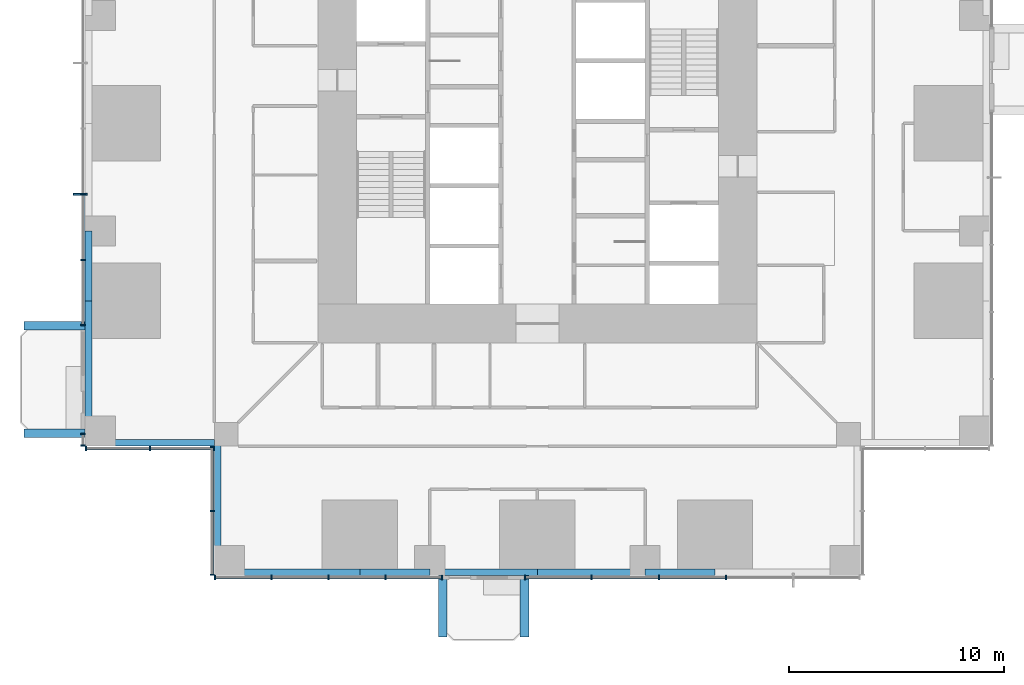
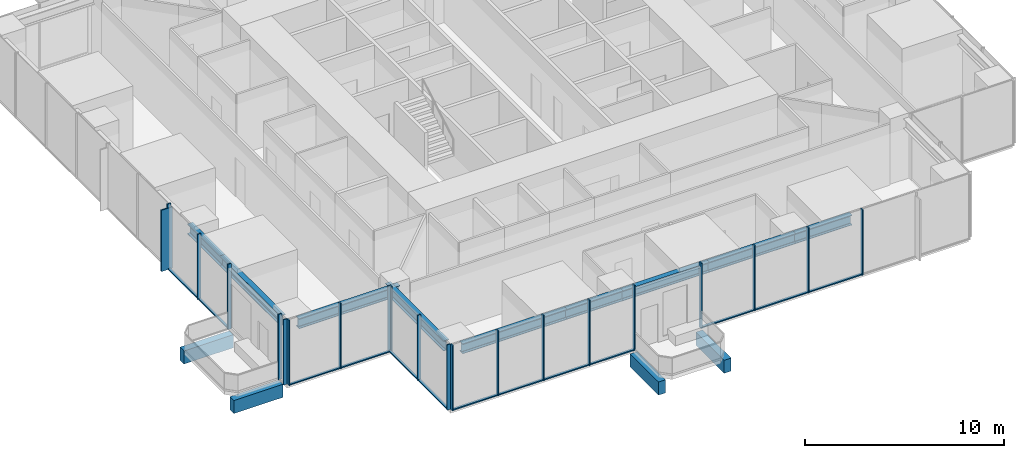
# One storey, part 2 of 17: 34 members, 13 beams, 6 elements without a shape of their own.
"""IFC4 building model written with IfcOpenShell, lengths in metres."""

from ifc_helpers import new_model, si_unit, direction, frame, origin, origin_2d, place, context, subcontext, project, spatial, rectangle, i_section, extrude, material, material_profile, profile_set, type_object, element, aggregate, save


model = new_model("IFC4")

# Units and contexts
model_context = context("Model", 3, precision=1e-05, world=origin(), true_north=direction((0.0, 1.0)))
body_context = subcontext(model_context, "Body", "Model", "MODEL_VIEW")
ifc_project = project(units=[si_unit("LENGTHUNIT", "METRE"), si_unit("AREAUNIT", "SQUARE_METRE"), si_unit("VOLUMEUNIT", "CUBIC_METRE"), si_unit("PLANEANGLEUNIT", "RADIAN"), si_unit("MASSUNIT", "GRAM", prefix="KILO")], contexts=[model_context])

# Site, building, storey
site_placement = place(None, origin())
site = spatial("IfcSite", under=ifc_project, at=site_placement, CompositionType="ELEMENT")
building_placement = place(site_placement, origin())
building = spatial("IfcBuilding", under=site, at=building_placement, Name="Svetlomir Tower", CompositionType="ELEMENT")
storey_placement = place(building_placement, frame((0.0, 0.0, 62.5)))
storey = spatial("IfcBuildingStorey", under=building, at=storey_placement, Name="L14", CompositionType="ELEMENT", Elevation=62.5)

# Beams
ifc_material_1 = material(Name="Concrete C60/75", Category="concrete")
ifc_material_profile_1 = material_profile(ifc_material_1, rectangle(XDim=0.39990234375, YDim=0.800048828125, at=origin_2d()), Name="RC 400x800")
ifc_profile_set_1 = profile_set([ifc_material_profile_1], Name="Concrete C60/75")
beam_type_1 = type_object("IfcBeamType", Name="BALCONY RIB RC 400x800", PredefinedType="BEAM", material=ifc_profile_set_1)
for number, where, z_axis, x_axis, name in (
    (1, (16.60009765625, 0.0, -0.64990234375), (0.0, -1.0, 0.0), (1.0, 0.0, 0.0), "Balcony rib S 1 L14"),
    (2, (20.39990234375, 0.0, -0.64990234375), (0.0, -1.0, 0.0), (1.0, 0.0, 0.0), "Balcony rib S 2 L14"),
    (3, (0.0, 6.60009765625, -0.64990234375), (-1.0, 0.0, 0.0), (0.0, -1.0, 0.0), "Balcony rib W 1 L14"),
    (4, (0.0, 11.60009765625, -0.64990234375), (-1.0, 0.0, 0.0), (0.0, -1.0, 0.0), "Balcony rib W 2 L14"),
):
    element("IfcBeam", number, at=place(storey_placement, frame(where, z_axis=z_axis, x_axis=x_axis)), inside=storey, type_object=beam_type_1, Name=name, PredefinedType="BEAM", context=body_context, shape_type="SweptSolid", body=[
        extrude(rectangle(XDim=0.39990234375, YDim=0.800048828125, at=origin_2d()), origin(), (0.0, 0.0, 1.0), 2.85009765625),
    ])

# Curtain wall, member
ifc_material_2 = material(Name="Bronze anodised aluminium curtain wall", Category="aluminium")
curtain_wall_type = type_object("IfcCurtainWallType", Name="CURTAIN WALL CW1 TOWER OFFICE", PredefinedType="NOTDEFINED", material=ifc_material_2)
curtain_wall_1_placement = place(storey_placement, origin())
curtain_wall_1 = element("IfcCurtainWall", 5, at=curtain_wall_1_placement, inside=storey, type_object=curtain_wall_type, Name="Curtain wall CW1 L14", PredefinedType="NOTDEFINED")
ifc_material_3 = material(Name="Bronze anodised aluminium", Category="aluminium")
ifc_material_profile_2 = material_profile(ifc_material_3, rectangle(XDim=0.080078125, YDim=0.64990234375, at=origin_2d()), Name="FIN 80x650")
ifc_profile_set_2 = profile_set([ifc_material_profile_2], Name="Bronze anodised aluminium 6063-T6")
member_type_1 = type_object("IfcMemberType", Name="BRONZE FIN 80x650", PredefinedType="USERDEFINED", material=ifc_profile_set_2)
member_1_placement = place(storey_placement, frame((-0.22509765625, 17.699951171875, 0.0), z_axis=(0.0, 0.0, 1.0), x_axis=(0.0, 1.0, 0.0)))
member_1 = element("IfcMember", 6, at=member_1_placement, type_object=member_type_1, Name="Bronze fin L14", ObjectType="FIN", PredefinedType="USERDEFINED", context=body_context, shape_type="SweptSolid", body=[
    extrude(rectangle(XDim=0.080078125, YDim=0.64990234375, at=origin_2d()), origin(), (0.0, 0.0, 1.0), 3.75),
])

# Curtain wall, members
curtain_wall_2_placement = place(storey_placement, origin())
curtain_wall_2 = element("IfcCurtainWall", 7, at=curtain_wall_2_placement, inside=storey, type_object=curtain_wall_type, Name="Curtain wall CW1 L14", PredefinedType="NOTDEFINED")
ifc_material_4 = material(Name="Bronze anodised aluminium", Category="aluminium")
ifc_material_profile_3 = material_profile(ifc_material_4, rectangle(XDim=0.06494140625, YDim=0.199951171875, at=origin_2d()), Name="AL 65x200")
ifc_profile_set_3 = profile_set([ifc_material_profile_3], Name="Bronze anodised aluminium 6063-T6")
member_type_2 = type_object("IfcMemberType", Name="CW1 MULLION 65x200", PredefinedType="MULLION", material=ifc_profile_set_3)
member_2_placement = place(storey_placement, frame((6.032470703125, -0.10009765625, 0.0), z_axis=(0.0, 0.0, 1.0), x_axis=(1.0, 0.0, 0.0)))
member_2 = element("IfcMember", 8, at=member_2_placement, type_object=member_type_2, Name="CW1 mullion 1", PredefinedType="MULLION", context=body_context, shape_type="SweptSolid", body=[
    extrude(rectangle(XDim=0.06494140625, YDim=0.199951171875, at=origin_2d()), origin(), (0.0, 0.0, 1.0), 4.0),
])
member_3_placement = place(storey_placement, frame((8.64990234375, -0.10009765625, 0.0), z_axis=(0.0, 0.0, 1.0), x_axis=(1.0, 0.0, 0.0)))
member_3 = element("IfcMember", 9, at=member_3_placement, type_object=member_type_2, Name="CW1 mullion 2", PredefinedType="MULLION", context=body_context, shape_type="SweptSolid", body=[
    extrude(rectangle(XDim=0.06494140625, YDim=0.199951171875, at=origin_2d()), origin(), (0.0, 0.0, 1.0), 4.0),
])
member_4_placement = place(storey_placement, frame((11.300048828125, -0.10009765625, 0.0), z_axis=(0.0, 0.0, 1.0), x_axis=(1.0, 0.0, 0.0)))
member_4 = element("IfcMember", 10, at=member_4_placement, type_object=member_type_2, Name="CW1 mullion 3", PredefinedType="MULLION", context=body_context, shape_type="SweptSolid", body=[
    extrude(rectangle(XDim=0.06494140625, YDim=0.199951171875, at=origin_2d()), origin(), (0.0, 0.0, 1.0), 4.0),
])
member_5_placement = place(storey_placement, frame((13.949951171875, -0.10009765625, 0.0), z_axis=(0.0, 0.0, 1.0), x_axis=(1.0, 0.0, 0.0)))
member_5 = element("IfcMember", 11, at=member_5_placement, type_object=member_type_2, Name="CW1 mullion 4", PredefinedType="MULLION", context=body_context, shape_type="SweptSolid", body=[
    extrude(rectangle(XDim=0.06494140625, YDim=0.199951171875, at=origin_2d()), origin(), (0.0, 0.0, 1.0), 4.0),
])
member_6_placement = place(storey_placement, frame((16.5673828125, -0.10009765625, 0.0), z_axis=(0.0, 0.0, 1.0), x_axis=(1.0, 0.0, 0.0)))
member_6 = element("IfcMember", 12, at=member_6_placement, type_object=member_type_2, Name="CW1 mullion 5", PredefinedType="MULLION", context=body_context, shape_type="SweptSolid", body=[
    extrude(rectangle(XDim=0.06494140625, YDim=0.199951171875, at=origin_2d()), origin(), (0.0, 0.0, 1.0), 4.0),
])

curtain_wall_3_placement = place(storey_placement, origin())
curtain_wall_3 = element("IfcCurtainWall", 13, at=curtain_wall_3_placement, inside=storey, type_object=curtain_wall_type, Name="Curtain wall CW1 L14", PredefinedType="NOTDEFINED")
member_7_placement = place(storey_placement, frame((20.4326171875, -0.10009765625, 0.0), z_axis=(0.0, 0.0, 1.0), x_axis=(1.0, 0.0, 0.0)))
member_7 = element("IfcMember", 14, at=member_7_placement, type_object=member_type_2, Name="CW1 mullion 1", PredefinedType="MULLION", context=body_context, shape_type="SweptSolid", body=[
    extrude(rectangle(XDim=0.06494140625, YDim=0.199951171875, at=origin_2d()), origin(), (0.0, 0.0, 1.0), 4.0),
])
member_8_placement = place(storey_placement, frame((23.52001953125, -0.10009765625, 0.0), z_axis=(0.0, 0.0, 1.0), x_axis=(1.0, 0.0, 0.0)))
member_8 = element("IfcMember", 15, at=member_8_placement, type_object=member_type_2, Name="CW1 mullion 2", PredefinedType="MULLION", context=body_context, shape_type="SweptSolid", body=[
    extrude(rectangle(XDim=0.06494140625, YDim=0.199951171875, at=origin_2d()), origin(), (0.0, 0.0, 1.0), 4.0),
])
member_9_placement = place(storey_placement, frame((26.639892578125, -0.10009765625, 0.0), z_axis=(0.0, 0.0, 1.0), x_axis=(1.0, 0.0, 0.0)))
member_9 = element("IfcMember", 16, at=member_9_placement, type_object=member_type_2, Name="CW1 mullion 3", PredefinedType="MULLION", context=body_context, shape_type="SweptSolid", body=[
    extrude(rectangle(XDim=0.06494140625, YDim=0.199951171875, at=origin_2d()), origin(), (0.0, 0.0, 1.0), 4.0),
])
member_10_placement = place(storey_placement, frame((29.760009765625, -0.10009765625, 0.0), z_axis=(0.0, 0.0, 1.0), x_axis=(1.0, 0.0, 0.0)))
member_10 = element("IfcMember", 17, at=member_10_placement, type_object=member_type_2, Name="CW1 mullion 4", PredefinedType="MULLION", context=body_context, shape_type="SweptSolid", body=[
    extrude(rectangle(XDim=0.06494140625, YDim=0.199951171875, at=origin_2d()), origin(), (0.0, 0.0, 1.0), 4.0),
])

# Member
member_11_placement = place(storey_placement, frame((-0.10009765625, 17.699951171875, 0.0), z_axis=(0.0, 0.0, 1.0), x_axis=(0.0, -1.0, 0.0)))
member_11 = element("IfcMember", 18, at=member_11_placement, type_object=member_type_2, Name="CW1 mullion 7", PredefinedType="MULLION", context=body_context, shape_type="SweptSolid", body=[
    extrude(rectangle(XDim=0.06494140625, YDim=0.199951171875, at=origin_2d()), origin(), (0.0, 0.0, 1.0), 4.0),
])

member_12_placement = place(storey_placement, frame((-0.10009765625, 14.64990234375, 0.0), z_axis=(0.0, 0.0, 1.0), x_axis=(0.0, -1.0, 0.0)))
member_12 = element("IfcMember", 19, at=member_12_placement, type_object=member_type_2, Name="CW1 mullion 8", PredefinedType="MULLION", context=body_context, shape_type="SweptSolid", body=[
    extrude(rectangle(XDim=0.06494140625, YDim=0.199951171875, at=origin_2d()), origin(), (0.0, 0.0, 1.0), 4.0),
])

member_13_placement = place(storey_placement, frame((-0.10009765625, 11.632568359375, 0.0), z_axis=(0.0, 0.0, 1.0), x_axis=(0.0, -1.0, 0.0)))
member_13 = element("IfcMember", 20, at=member_13_placement, type_object=member_type_2, Name="CW1 mullion 9", PredefinedType="MULLION", context=body_context, shape_type="SweptSolid", body=[
    extrude(rectangle(XDim=0.06494140625, YDim=0.199951171875, at=origin_2d()), origin(), (0.0, 0.0, 1.0), 4.0),
])

# Curtain wall, members
curtain_wall_4_placement = place(storey_placement, origin())
curtain_wall_4 = element("IfcCurtainWall", 21, at=curtain_wall_4_placement, inside=storey, type_object=curtain_wall_type, Name="Curtain wall CW1 L14", PredefinedType="NOTDEFINED")
member_14_placement = place(storey_placement, frame((-0.10009765625, 6.5673828125, 0.0), z_axis=(0.0, 0.0, 1.0), x_axis=(0.0, -1.0, 0.0)))
member_14 = element("IfcMember", 22, at=member_14_placement, type_object=member_type_2, Name="CW1 mullion 1", PredefinedType="MULLION", context=body_context, shape_type="SweptSolid", body=[
    extrude(rectangle(XDim=0.06494140625, YDim=0.199951171875, at=origin_2d()), origin(), (0.0, 0.0, 1.0), 4.0),
])
member_15_placement = place(storey_placement, frame((-0.10009765625, 6.032470703125, 0.0), z_axis=(0.0, 0.0, 1.0), x_axis=(0.0, -1.0, 0.0)))
member_15 = element("IfcMember", 23, at=member_15_placement, type_object=member_type_2, Name="CW1 mullion 2", PredefinedType="MULLION", context=body_context, shape_type="SweptSolid", body=[
    extrude(rectangle(XDim=0.06494140625, YDim=0.199951171875, at=origin_2d()), origin(), (0.0, 0.0, 1.0), 4.0),
])
aggregate(curtain_wall_4, [member_14, member_15])

curtain_wall_5_placement = place(storey_placement, origin())
curtain_wall_5 = element("IfcCurtainWall", 24, at=curtain_wall_5_placement, inside=storey, type_object=curtain_wall_type, Name="Curtain wall CW1 L14", PredefinedType="NOTDEFINED")
member_16_placement = place(storey_placement, frame((0.032470703125, 5.89990234375, 0.0), z_axis=(0.0, 0.0, 1.0), x_axis=(1.0, 0.0, 0.0)))
member_16 = element("IfcMember", 25, at=member_16_placement, type_object=member_type_2, Name="CW1 mullion 1", PredefinedType="MULLION", context=body_context, shape_type="SweptSolid", body=[
    extrude(rectangle(XDim=0.06494140625, YDim=0.199951171875, at=origin_2d()), origin(), (0.0, 0.0, 1.0), 4.0),
])
member_17_placement = place(storey_placement, frame((3.0, 5.89990234375, 0.0), z_axis=(0.0, 0.0, 1.0), x_axis=(1.0, 0.0, 0.0)))
member_17 = element("IfcMember", 26, at=member_17_placement, type_object=member_type_2, Name="CW1 mullion 2", PredefinedType="MULLION", context=body_context, shape_type="SweptSolid", body=[
    extrude(rectangle(XDim=0.06494140625, YDim=0.199951171875, at=origin_2d()), origin(), (0.0, 0.0, 1.0), 4.0),
])
member_18_placement = place(storey_placement, frame((5.967529296875, 5.89990234375, 0.0), z_axis=(0.0, 0.0, 1.0), x_axis=(1.0, 0.0, 0.0)))
member_18 = element("IfcMember", 27, at=member_18_placement, type_object=member_type_2, Name="CW1 mullion 3", PredefinedType="MULLION", context=body_context, shape_type="SweptSolid", body=[
    extrude(rectangle(XDim=0.06494140625, YDim=0.199951171875, at=origin_2d()), origin(), (0.0, 0.0, 1.0), 4.0),
])

curtain_wall_6_placement = place(storey_placement, origin())
curtain_wall_6 = element("IfcCurtainWall", 28, at=curtain_wall_6_placement, inside=storey, type_object=curtain_wall_type, Name="Curtain wall CW1 L14", PredefinedType="NOTDEFINED")
member_19_placement = place(storey_placement, frame((5.89990234375, 5.967529296875, 0.0), z_axis=(0.0, 0.0, 1.0), x_axis=(0.0, -1.0, 0.0)))
member_19 = element("IfcMember", 29, at=member_19_placement, type_object=member_type_2, Name="CW1 mullion 1", PredefinedType="MULLION", context=body_context, shape_type="SweptSolid", body=[
    extrude(rectangle(XDim=0.06494140625, YDim=0.199951171875, at=origin_2d()), origin(), (0.0, 0.0, 1.0), 4.0),
])
member_20_placement = place(storey_placement, frame((5.89990234375, 3.0, 0.0), z_axis=(0.0, 0.0, 1.0), x_axis=(0.0, -1.0, 0.0)))
member_20 = element("IfcMember", 30, at=member_20_placement, type_object=member_type_2, Name="CW1 mullion 2", PredefinedType="MULLION", context=body_context, shape_type="SweptSolid", body=[
    extrude(rectangle(XDim=0.06494140625, YDim=0.199951171875, at=origin_2d()), origin(), (0.0, 0.0, 1.0), 4.0),
])
member_21_placement = place(storey_placement, frame((5.89990234375, 0.032470703125, 0.0), z_axis=(0.0, 0.0, 1.0), x_axis=(0.0, -1.0, 0.0)))
member_21 = element("IfcMember", 31, at=member_21_placement, type_object=member_type_2, Name="CW1 mullion 3", PredefinedType="MULLION", context=body_context, shape_type="SweptSolid", body=[
    extrude(rectangle(XDim=0.06494140625, YDim=0.199951171875, at=origin_2d()), origin(), (0.0, 0.0, 1.0), 4.0),
])

# Member
ifc_material_5 = material(Name="Bronze anodised aluminium", Category="aluminium")
ifc_material_profile_4 = material_profile(ifc_material_5, rectangle(XDim=0.139892578125, YDim=0.06494140625, at=origin_2d()), Name="AL 140x65")
ifc_profile_set_4 = profile_set([ifc_material_profile_4], Name="Bronze anodised aluminium 6063-T6")
member_type_3 = type_object("IfcMemberType", Name="CW1 TRANSOM 65x140", PredefinedType="USERDEFINED", material=ifc_profile_set_4)
member_22_placement = place(storey_placement, frame((6.06494140625, -0.10009765625, 0.032470703125), z_axis=(1.0, 0.0, 0.0), x_axis=(0.0, 1.0, 0.0)))
member_22 = element("IfcMember", 32, at=member_22_placement, type_object=member_type_3, Name="CW1 transom 1.1", ObjectType="TRANSOM", PredefinedType="USERDEFINED", context=body_context, shape_type="SweptSolid", body=[
    extrude(rectangle(XDim=0.139892578125, YDim=0.06494140625, at=origin_2d()), origin(), (0.0, 0.0, 1.0), 2.552490234375),
])

member_23_placement = place(storey_placement, frame((8.6826171875, -0.10009765625, 0.032470703125), z_axis=(1.0, 0.0, 0.0), x_axis=(0.0, 1.0, 0.0)))
member_23 = element("IfcMember", 33, at=member_23_placement, type_object=member_type_3, Name="CW1 transom 2.1", ObjectType="TRANSOM", PredefinedType="USERDEFINED", context=body_context, shape_type="SweptSolid", body=[
    extrude(rectangle(XDim=0.139892578125, YDim=0.06494140625, at=origin_2d()), origin(), (0.0, 0.0, 1.0), 2.5849609375),
])

member_24_placement = place(storey_placement, frame((11.33251953125, -0.10009765625, 0.032470703125), z_axis=(1.0, 0.0, 0.0), x_axis=(0.0, 1.0, 0.0)))
member_24 = element("IfcMember", 34, at=member_24_placement, type_object=member_type_3, Name="CW1 transom 3.1", ObjectType="TRANSOM", PredefinedType="USERDEFINED", context=body_context, shape_type="SweptSolid", body=[
    extrude(rectangle(XDim=0.139892578125, YDim=0.06494140625, at=origin_2d()), origin(), (0.0, 0.0, 1.0), 2.5849609375),
])

member_25_placement = place(storey_placement, frame((13.982421875, -0.10009765625, 0.032470703125), z_axis=(1.0, 0.0, 0.0), x_axis=(0.0, 1.0, 0.0)))
member_25 = element("IfcMember", 35, at=member_25_placement, type_object=member_type_3, Name="CW1 transom 4.1", ObjectType="TRANSOM", PredefinedType="USERDEFINED", context=body_context, shape_type="SweptSolid", body=[
    extrude(rectangle(XDim=0.139892578125, YDim=0.06494140625, at=origin_2d()), origin(), (0.0, 0.0, 1.0), 2.552490234375),
])

aggregate(curtain_wall_2, [member_2, member_3, member_4, member_5, member_6, member_22, member_23, member_24, member_25])

member_26_placement = place(storey_placement, frame((20.465087890625, -0.10009765625, 0.032470703125), z_axis=(1.0, 0.0, 0.0), x_axis=(0.0, 1.0, 0.0)))
member_26 = element("IfcMember", 36, at=member_26_placement, type_object=member_type_3, Name="CW1 transom 1.1", ObjectType="TRANSOM", PredefinedType="USERDEFINED", context=body_context, shape_type="SweptSolid", body=[
    extrude(rectangle(XDim=0.139892578125, YDim=0.06494140625, at=origin_2d()), origin(), (0.0, 0.0, 1.0), 3.0224609375),
])

member_27_placement = place(storey_placement, frame((23.552490234375, -0.10009765625, 0.032470703125), z_axis=(1.0, 0.0, 0.0), x_axis=(0.0, 1.0, 0.0)))
member_27 = element("IfcMember", 37, at=member_27_placement, type_object=member_type_3, Name="CW1 transom 2.1", ObjectType="TRANSOM", PredefinedType="USERDEFINED", context=body_context, shape_type="SweptSolid", body=[
    extrude(rectangle(XDim=0.139892578125, YDim=0.06494140625, at=origin_2d()), origin(), (0.0, 0.0, 1.0), 3.054931640625),
])

member_28_placement = place(storey_placement, frame((26.672607421875, -0.10009765625, 0.032470703125), z_axis=(1.0, 0.0, 0.0), x_axis=(0.0, 1.0, 0.0)))
member_28 = element("IfcMember", 38, at=member_28_placement, type_object=member_type_3, Name="CW1 transom 3.1", ObjectType="TRANSOM", PredefinedType="USERDEFINED", context=body_context, shape_type="SweptSolid", body=[
    extrude(rectangle(XDim=0.139892578125, YDim=0.06494140625, at=origin_2d()), origin(), (0.0, 0.0, 1.0), 3.054931640625),
])

aggregate(curtain_wall_3, [member_7, member_8, member_9, member_10, member_26, member_27, member_28])

member_29_placement = place(storey_placement, frame((-0.10009765625, 17.66748046875, 0.032470703125), z_axis=(0.0, -1.0, 0.0), x_axis=(1.0, 0.0, 0.0)))
member_29 = element("IfcMember", 39, at=member_29_placement, type_object=member_type_3, Name="CW1 transom 7.1", ObjectType="TRANSOM", PredefinedType="USERDEFINED", context=body_context, shape_type="SweptSolid", body=[
    extrude(rectangle(XDim=0.139892578125, YDim=0.06494140625, at=origin_2d()), origin(), (0.0, 0.0, 1.0), 2.98486328125),
])

member_30_placement = place(storey_placement, frame((-0.10009765625, 14.617431640625, 0.032470703125), z_axis=(0.0, -1.0, 0.0), x_axis=(1.0, 0.0, 0.0)))
member_30 = element("IfcMember", 40, at=member_30_placement, type_object=member_type_3, Name="CW1 transom 8.1", ObjectType="TRANSOM", PredefinedType="USERDEFINED", context=body_context, shape_type="SweptSolid", body=[
    extrude(rectangle(XDim=0.139892578125, YDim=0.06494140625, at=origin_2d()), origin(), (0.0, 0.0, 1.0), 2.952392578125),
])

aggregate(curtain_wall_1, [member_11, member_12, member_13, member_29, member_30, member_1])

member_31_placement = place(storey_placement, frame((0.06494140625, 5.89990234375, 0.032470703125), z_axis=(1.0, 0.0, 0.0), x_axis=(0.0, 1.0, 0.0)))
member_31 = element("IfcMember", 41, at=member_31_placement, type_object=member_type_3, Name="CW1 transom 1.1", ObjectType="TRANSOM", PredefinedType="USERDEFINED", context=body_context, shape_type="SweptSolid", body=[
    extrude(rectangle(XDim=0.139892578125, YDim=0.06494140625, at=origin_2d()), origin(), (0.0, 0.0, 1.0), 2.902587890625),
])

member_32_placement = place(storey_placement, frame((3.032470703125, 5.89990234375, 0.032470703125), z_axis=(1.0, 0.0, 0.0), x_axis=(0.0, 1.0, 0.0)))
member_32 = element("IfcMember", 42, at=member_32_placement, type_object=member_type_3, Name="CW1 transom 2.1", ObjectType="TRANSOM", PredefinedType="USERDEFINED", context=body_context, shape_type="SweptSolid", body=[
    extrude(rectangle(XDim=0.139892578125, YDim=0.06494140625, at=origin_2d()), origin(), (0.0, 0.0, 1.0), 2.902587890625),
])

aggregate(curtain_wall_5, [member_16, member_17, member_18, member_31, member_32])

member_33_placement = place(storey_placement, frame((5.89990234375, 5.93505859375, 0.032470703125), z_axis=(0.0, -1.0, 0.0), x_axis=(1.0, 0.0, 0.0)))
member_33 = element("IfcMember", 43, at=member_33_placement, type_object=member_type_3, Name="CW1 transom 1.1", ObjectType="TRANSOM", PredefinedType="USERDEFINED", context=body_context, shape_type="SweptSolid", body=[
    extrude(rectangle(XDim=0.139892578125, YDim=0.06494140625, at=origin_2d()), origin(), (0.0, 0.0, 1.0), 2.902587890625),
])

member_34_placement = place(storey_placement, frame((5.89990234375, 2.967529296875, 0.032470703125), z_axis=(0.0, -1.0, 0.0), x_axis=(1.0, 0.0, 0.0)))
member_34 = element("IfcMember", 44, at=member_34_placement, type_object=member_type_3, Name="CW1 transom 2.1", ObjectType="TRANSOM", PredefinedType="USERDEFINED", context=body_context, shape_type="SweptSolid", body=[
    extrude(rectangle(XDim=0.139892578125, YDim=0.06494140625, at=origin_2d()), origin(), (0.0, 0.0, 1.0), 2.902587890625),
])

aggregate(curtain_wall_6, [member_19, member_20, member_21, member_33, member_34])

# Beams
ifc_material_6 = material(Name="Steel S355", Category="steel")
ifc_material_profile_5 = material_profile(ifc_material_6, i_section(OverallWidth=0.304931640625, OverallDepth=0.6201171875, WebThickness=0.02099609375, FlangeThickness=0.0400390625, FilletRadius=0.027099609375, at=origin_2d()), Name="HEM 600")
ifc_profile_set_5 = profile_set([ifc_material_profile_5], Name="Steel S355")
beam_type_2 = type_object("IfcBeamType", Name="EDGE BEAM HEM 600", PredefinedType="SPANDREL", material=ifc_profile_set_5)
for number, where, z_axis, x_axis, name in (
    (45, (6.699951171875, 0.152587890625, 3.43994140625), (1.0, 0.0, 0.0), (0.0, 1.0, 0.0), "Edge beam 6/0 to 11/0 under L15"),
    (46, (0.152587890625, 6.699951171875, 3.43994140625), (0.0, 1.0, 0.0), (-1.0, 0.0, 0.0), "Edge beam 0/6 to 0/11 under L15"),
):
    element("IfcBeam", number, at=place(storey_placement, frame(where, z_axis=z_axis, x_axis=x_axis)), inside=storey, type_object=beam_type_2, Name=name, PredefinedType="SPANDREL", context=body_context, shape_type="SweptSolid", body=[
        extrude(i_section(OverallWidth=0.304931640625, OverallDepth=0.6201171875, WebThickness=0.02099609375, FlangeThickness=0.0400390625, FilletRadius=0.027099609375, at=origin_2d()), origin(), (0.0, 0.0, 1.0), 6.050048828125),
    ])
for number, where, z_axis, x_axis, name in (
    (47, (12.75, 0.152587890625, 3.43994140625), (1.0, 0.0, 0.0), (0.0, 1.0, 0.0), "Edge beam 11/0 to 16/0 under L15"),
    (48, (0.152587890625, 12.75, 3.43994140625), (0.0, 1.0, 0.0), (-1.0, 0.0, 0.0), "Edge beam 0/11 to 0/16 under L15"),
):
    element("IfcBeam", number, at=place(storey_placement, frame(where, z_axis=z_axis, x_axis=x_axis)), inside=storey, type_object=beam_type_2, Name=name, PredefinedType="SPANDREL", context=body_context, shape_type="SweptSolid", body=[
        extrude(i_section(OverallWidth=0.304931640625, OverallDepth=0.6201171875, WebThickness=0.02099609375, FlangeThickness=0.0400390625, FilletRadius=0.027099609375, at=origin_2d()), origin(), (0.0, 0.0, 1.0), 3.25),
    ])
for number, where, z_axis, x_axis, name in (
    (49, (16.0, 0.152587890625, 3.43994140625), (1.0, 0.0, 0.0), (0.0, 1.0, 0.0), "Edge beam 16/0 to 21/0 under L15"),
    (50, (21.0, 0.152587890625, 3.43994140625), (1.0, 0.0, 0.0), (0.0, 1.0, 0.0), "Edge beam 21/0 to 26/0 under L15"),
):
    element("IfcBeam", number, at=place(storey_placement, frame(where, z_axis=z_axis, x_axis=x_axis)), inside=storey, type_object=beam_type_2, Name=name, PredefinedType="SPANDREL", context=body_context, shape_type="SweptSolid", body=[
        extrude(i_section(OverallWidth=0.304931640625, OverallDepth=0.6201171875, WebThickness=0.02099609375, FlangeThickness=0.0400390625, FilletRadius=0.027099609375, at=origin_2d()), origin(), (0.0, 0.0, 1.0), 5.0),
    ])
beam_placement = place(storey_placement, frame((26.0, 0.152587890625, 3.43994140625), z_axis=(1.0, 0.0, 0.0), x_axis=(0.0, 1.0, 0.0)))
element("IfcBeam", 51, at=beam_placement, inside=storey, type_object=beam_type_2, Name="Edge beam 26/0 to 31/0 under L15", PredefinedType="SPANDREL", context=body_context, shape_type="SweptSolid", body=[
    extrude(i_section(OverallWidth=0.304931640625, OverallDepth=0.6201171875, WebThickness=0.02099609375, FlangeThickness=0.0400390625, FilletRadius=0.027099609375, at=origin_2d()), origin(), (0.0, 0.0, 1.0), 3.25),
])
for number, where, z_axis, x_axis, name in (
    (52, (6.152587890625, 0.699951171875, 3.43994140625), (0.0, 1.0, 0.0), (-1.0, 0.0, 0.0), "Edge beam 6/0 to 6/6 under L15"),
    (53, (0.699951171875, 6.152587890625, 3.43994140625), (1.0, 0.0, 0.0), (0.0, 1.0, 0.0), "Edge beam 0/6 to 6/6 under L15"),
):
    element("IfcBeam", number, at=place(storey_placement, frame(where, z_axis=z_axis, x_axis=x_axis)), inside=storey, type_object=beam_type_2, Name=name, PredefinedType="SPANDREL", context=body_context, shape_type="SweptSolid", body=[
        extrude(i_section(OverallWidth=0.304931640625, OverallDepth=0.6201171875, WebThickness=0.02099609375, FlangeThickness=0.0400390625, FilletRadius=0.027099609375, at=origin_2d()), origin(), (0.0, 0.0, 1.0), 5.85009765625),
    ])

save(model, "model.ifc")
